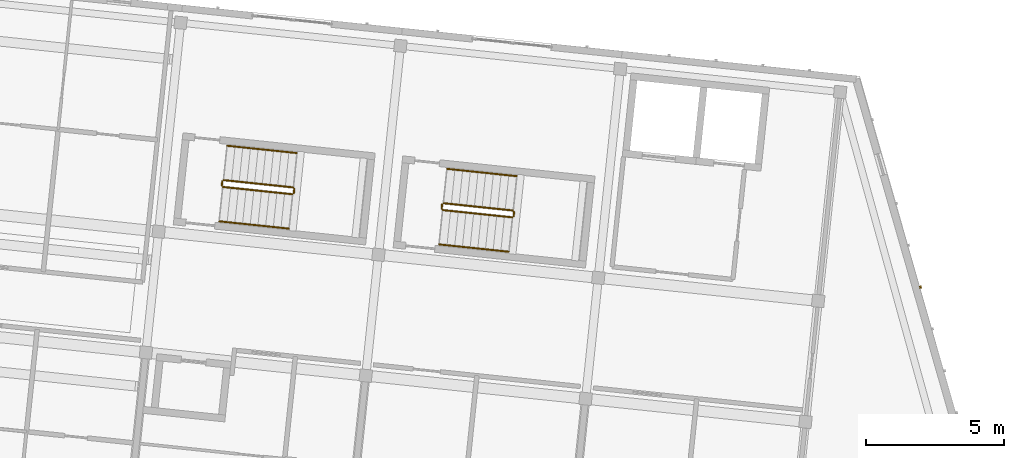
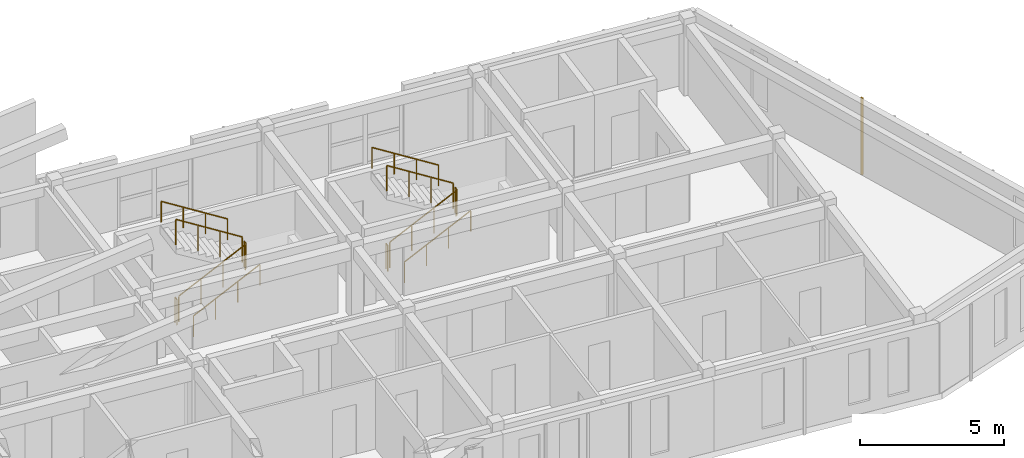
# One storey, part 32 of 34: 12 railings, 1 covering.
"""IFC4 building model written with IfcOpenShell, lengths in metres."""

from ifc_helpers import new_model, si_unit, direction, frame, origin, origin_2d, place, context, subcontext, project, spatial, rectangle, circle, extrude, material, layer, layer_set, type_object, element, save


model = new_model("IFC4")

# Units and contexts
model_context = context("Model", 3, precision=1e-05, world=origin(), true_north=direction((0.0, 1.0)))
body_context = subcontext(model_context, "Body", "Model", "MODEL_VIEW")
ifc_project = project(units=[si_unit("LENGTHUNIT", "METRE"), si_unit("AREAUNIT", "SQUARE_METRE"), si_unit("VOLUMEUNIT", "CUBIC_METRE"), si_unit("PLANEANGLEUNIT", "RADIAN"), si_unit("MASSUNIT", "GRAM", prefix="KILO")], contexts=[model_context])

# Site, building, storey
site_placement = place(None, origin())
site = spatial("IfcSite", under=ifc_project, at=site_placement, CompositionType="ELEMENT")
building_placement = place(site_placement, origin())
building = spatial("IfcBuilding", under=site, at=building_placement, Name="Kestramere Prow Commons", CompositionType="ELEMENT")
storey_placement = place(building_placement, frame((0.0, 0.0, 34.39990234375)))
storey = spatial("IfcBuildingStorey", under=building, at=storey_placement, Name="L10", CompositionType="ELEMENT", Elevation=34.39990234375)

# Covering
ifc_material_1 = material(Name="Weathered Zinc-Titanium Standing-Seam Cladding")
ifc_layer = layer(ifc_material_1, 0.074951171875)
ifc_layer_set = layer_set([ifc_layer], Name="Weathered Zinc-Titanium Standing-Seam Cladding")
covering_type = type_object("IfcCoveringType", Name="COV-CLAD-SEAM", PredefinedType="CLADDING", material=ifc_layer_set)
covering_placement = place(storey_placement, frame((162.69580078125, 102.21630859375, -0.25), z_axis=(0.0, 0.0, 1.0), x_axis=(0.27631844013, -0.961066136977, 0.0)))
element("IfcCovering", 1, at=covering_placement, inside=storey, type_object=covering_type, Name="EW-B-L10-PRW-N Standing-Seam Rib 5", PredefinedType="CLADDING", context=body_context, shape_type="SweptSolid", body=[
    extrude(rectangle(XDim=0.0849609375, YDim=0.06494140625, at=origin_2d()), origin(), (0.0, 0.0, 1.0), 3.25),
])

# Railings
ifc_material_2 = material(Name="Galvanised Steel S275JR", Category="steel")
railing_type_1 = type_object("IfcRailingType", Name="RL-ST-GR-1100", PredefinedType="GUARDRAIL", material=ifc_material_2)
railing_1_placement = place(storey_placement, frame((137.454345703125, 105.8408203125, 0.16259765625)))
element("IfcRailing", 2, at=railing_1_placement, inside=storey, type_object=railing_type_1, Name="L10 ST-B1 stair guard 1", PredefinedType="GUARDRAIL", context=body_context, shape_type="SweptSolid", body=[
    extrude(circle(Radius=0.02392578125, at=origin_2d()), frame((0.0, 0.0, 1.076171875), z_axis=(0.860186756994, -0.09040926464, 0.501901293044), x_axis=(0.104528455675, 0.994521896166, 0.0)), (0.0, 0.0, 1.0), 2.913818359375),
    extrude(circle(Radius=0.02099609375, at=origin_2d()), origin(), (0.0, 0.0, 1.0), 1.052001953125),
    extrude(circle(Radius=0.02099609375, at=origin_2d()), frame((0.83544921875, -0.087890625, 0.487548828125)), (0.0, 0.0, 1.0), 1.052001953125),
    extrude(circle(Radius=0.02099609375, at=origin_2d()), frame((1.6708984375, -0.175537109375, 0.974853515625)), (0.0, 0.0, 1.0), 1.052001953125),
    extrude(circle(Radius=0.02099609375, at=origin_2d()), frame((2.50634765625, -0.263427734375, 1.46240234375)), (0.0, 0.0, 1.0), 1.052001953125),
])
railing_2_placement = place(storey_placement, frame((140.015625, 105.621826171875, 1.625)))
element("IfcRailing", 3, at=railing_2_placement, inside=storey, type_object=railing_type_1, Name="L10 ST-B1 stair guard 2", PredefinedType="GUARDRAIL", context=body_context, shape_type="SweptSolid", body=[
    extrude(circle(Radius=0.02392578125, at=origin_2d()), frame((0.0, 0.0, 1.076171875), z_axis=(0.104176375855, 0.994558838236, 0.0), x_axis=(-0.994558838236, 0.104176375855, 0.0)), (0.0, 0.0, 1.0), 0.14990234375),
    extrude(circle(Radius=0.02099609375, at=origin_2d()), origin(), (0.0, 0.0, 1.0), 1.052001953125),
    extrude(circle(Radius=0.02099609375, at=origin_2d()), frame((0.015625, 0.149169921875, 0.0)), (0.0, 0.0, 1.0), 1.052001953125),
])
railing_3_placement = place(storey_placement, frame((139.98681640625, 105.825927734375, 1.78759765625)))
element("IfcRailing", 4, at=railing_3_placement, inside=storey, type_object=railing_type_1, Name="L10 ST-B1 stair guard 3", PredefinedType="GUARDRAIL", context=body_context, shape_type="SweptSolid", body=[
    extrude(circle(Radius=0.02392578125, at=origin_2d()), frame((0.0, 0.0, 1.076171875), z_axis=(-0.860164962675, 0.090415781269, 0.501937469695), x_axis=(-0.104538527394, -0.994520837534, 0.0)), (0.0, 0.0, 1.0), 2.91357421875),
    extrude(circle(Radius=0.02099609375, at=origin_2d()), origin(), (0.0, 0.0, 1.0), 1.052001953125),
    extrude(circle(Radius=0.02099609375, at=origin_2d()), frame((-0.83544921875, 0.087890625, 0.487548828125)), (0.0, 0.0, 1.0), 1.052001953125),
    extrude(circle(Radius=0.02099609375, at=origin_2d()), frame((-1.670654296875, 0.175537109375, 0.974853515625)), (0.0, 0.0, 1.0), 1.052001953125),
    extrude(circle(Radius=0.02099609375, at=origin_2d()), frame((-2.506103515625, 0.263427734375, 1.46240234375)), (0.0, 0.0, 1.0), 1.052001953125),
])
railing_4_placement = place(storey_placement, frame((137.409912109375, 105.895751953125, 0.0)))
element("IfcRailing", 5, at=railing_4_placement, inside=storey, type_object=railing_type_1, Name="L10 ST-B1 stair guard 4", PredefinedType="GUARDRAIL", context=body_context, shape_type="SweptSolid", body=[
    extrude(circle(Radius=0.02392578125, at=origin_2d()), frame((0.0, 0.0, 1.076171875), z_axis=(0.104176375855, 0.994558838236, 0.0), x_axis=(-0.994558838236, 0.104176375855, 0.0)), (0.0, 0.0, 1.0), 0.14990234375),
    extrude(circle(Radius=0.02099609375, at=origin_2d()), origin(), (0.0, 0.0, 1.0), 1.052001953125),
    extrude(circle(Radius=0.02099609375, at=origin_2d()), frame((0.015625, 0.149169921875, 0.0)), (0.0, 0.0, 1.0), 1.052001953125),
])
railing_5_placement = place(storey_placement, frame((145.41064453125, 105.00439453125, 0.16259765625)))
element("IfcRailing", 6, at=railing_5_placement, inside=storey, type_object=railing_type_1, Name="L10 ST-B2 stair guard 1", PredefinedType="GUARDRAIL", context=body_context, shape_type="SweptSolid", body=[
    extrude(circle(Radius=0.02392578125, at=origin_2d()), frame((0.0, 0.0, 1.076171875), z_axis=(0.860164962675, -0.090415781269, 0.501937469695), x_axis=(0.104538527394, 0.994520837534, 0.0)), (0.0, 0.0, 1.0), 2.91357421875),
    extrude(circle(Radius=0.02099609375, at=origin_2d()), origin(), (0.0, 0.0, 1.0), 1.052001953125),
    extrude(circle(Radius=0.02099609375, at=origin_2d()), frame((0.83544921875, -0.087890625, 0.487548828125)), (0.0, 0.0, 1.0), 1.052001953125),
    extrude(circle(Radius=0.02099609375, at=origin_2d()), frame((1.670654296875, -0.175537109375, 0.974853515625)), (0.0, 0.0, 1.0), 1.052001953125),
    extrude(circle(Radius=0.02099609375, at=origin_2d()), frame((2.506103515625, -0.263427734375, 1.46240234375)), (0.0, 0.0, 1.0), 1.052001953125),
])
railing_6_placement = place(storey_placement, frame((147.9716796875, 104.78564453125, 1.625)))
element("IfcRailing", 7, at=railing_6_placement, inside=storey, type_object=railing_type_1, Name="L10 ST-B2 stair guard 2", PredefinedType="GUARDRAIL", context=body_context, shape_type="SweptSolid", body=[
    extrude(circle(Radius=0.02392578125, at=origin_2d()), frame((0.0, 0.0, 1.076171875), z_axis=(0.105786054594, 0.994388913179, 0.0), x_axis=(-0.994388913179, 0.105786054594, 0.0)), (0.0, 0.0, 1.0), 0.14990234375),
    extrude(circle(Radius=0.02099609375, at=origin_2d()), origin(), (0.0, 0.0, 1.0), 1.052001953125),
    extrude(circle(Radius=0.02099609375, at=origin_2d()), frame((0.015869140625, 0.149169921875, 0.0)), (0.0, 0.0, 1.0), 1.052001953125),
])
railing_7_placement = place(storey_placement, frame((147.94287109375, 104.98974609375, 1.78759765625)))
element("IfcRailing", 8, at=railing_7_placement, inside=storey, type_object=railing_type_1, Name="L10 ST-B2 stair guard 3", PredefinedType="GUARDRAIL", context=body_context, shape_type="SweptSolid", body=[
    extrude(circle(Radius=0.02392578125, at=origin_2d()), frame((0.0, 0.0, 1.076171875), z_axis=(-0.860164962675, 0.090415781269, 0.501937469695), x_axis=(-0.104538527394, -0.994520837534, 0.0)), (0.0, 0.0, 1.0), 2.91357421875),
    extrude(circle(Radius=0.02099609375, at=origin_2d()), origin(), (0.0, 0.0, 1.0), 1.052001953125),
    extrude(circle(Radius=0.02099609375, at=origin_2d()), frame((-0.83544921875, 0.087890625, 0.487548828125)), (0.0, 0.0, 1.0), 1.052001953125),
    extrude(circle(Radius=0.02099609375, at=origin_2d()), frame((-1.670654296875, 0.175537109375, 0.974853515625)), (0.0, 0.0, 1.0), 1.052001953125),
    extrude(circle(Radius=0.02099609375, at=origin_2d()), frame((-2.506103515625, 0.263427734375, 1.46240234375)), (0.0, 0.0, 1.0), 1.052001953125),
])
railing_8_placement = place(storey_placement, frame((145.3662109375, 105.059326171875, 0.0)))
element("IfcRailing", 9, at=railing_8_placement, inside=storey, type_object=railing_type_1, Name="L10 ST-B2 stair guard 4", PredefinedType="GUARDRAIL", context=body_context, shape_type="SweptSolid", body=[
    extrude(circle(Radius=0.02392578125, at=origin_2d()), frame((0.0, 0.0, 1.076171875), z_axis=(0.104176375855, 0.994558838236, 0.0), x_axis=(-0.994558838236, 0.104176375855, 0.0)), (0.0, 0.0, 1.0), 0.14990234375),
    extrude(circle(Radius=0.02099609375, at=origin_2d()), origin(), (0.0, 0.0, 1.0), 1.052001953125),
    extrude(circle(Radius=0.02099609375, at=origin_2d()), frame((0.015625, 0.149169921875, 0.0)), (0.0, 0.0, 1.0), 1.052001953125),
])
ifc_material_3 = material(Name="Stainless Steel 304", Category="steel")
railing_type_2 = type_object("IfcRailingType", Name="RL-ST-HR-900", PredefinedType="HANDRAIL", material=ifc_material_3)
railing_9_placement = place(storey_placement, frame((137.32373046875, 104.59765625, 0.3251953125)))
element("IfcRailing", 10, at=railing_9_placement, inside=storey, type_object=railing_type_2, Name="L10 ST-B1 stair handrail 1", PredefinedType="HANDRAIL", context=body_context, shape_type="SweptSolid", body=[
    extrude(circle(Radius=0.02392578125, at=origin_2d()), frame((0.0, 0.0, 0.8759765625), z_axis=(0.860186756994, -0.09040926464, 0.501901293044), x_axis=(0.104528455675, 0.994521896166, 0.0)), (0.0, 0.0, 1.0), 2.913818359375),
    extrude(circle(Radius=0.02099609375, at=origin_2d()), origin(), (0.0, 0.0, 1.0), 0.851806640625),
    extrude(circle(Radius=0.02099609375, at=origin_2d()), frame((0.83544921875, -0.087890625, 0.487548828125)), (0.0, 0.0, 1.0), 0.851806640625),
    extrude(circle(Radius=0.02099609375, at=origin_2d()), frame((1.6708984375, -0.175537109375, 0.974853515625)), (0.0, 0.0, 1.0), 0.851806640625),
    extrude(circle(Radius=0.02099609375, at=origin_2d()), frame((2.50634765625, -0.263427734375, 1.46240234375)), (0.0, 0.0, 1.0), 0.851806640625),
])
railing_10_placement = place(storey_placement, frame((140.117431640625, 107.069091796875, 1.9501953125)))
element("IfcRailing", 11, at=railing_10_placement, inside=storey, type_object=railing_type_2, Name="L10 ST-B1 stair handrail 2", PredefinedType="HANDRAIL", context=body_context, shape_type="SweptSolid", body=[
    extrude(circle(Radius=0.02392578125, at=origin_2d()), frame((0.0, 0.0, 0.8759765625), z_axis=(-0.860164962675, 0.090415781269, 0.501937469695), x_axis=(-0.104538527394, -0.994520837534, 0.0)), (0.0, 0.0, 1.0), 2.91357421875),
    extrude(circle(Radius=0.02099609375, at=origin_2d()), origin(), (0.0, 0.0, 1.0), 0.851806640625),
    extrude(circle(Radius=0.02099609375, at=origin_2d()), frame((-0.83544921875, 0.087890625, 0.487548828125)), (0.0, 0.0, 1.0), 0.851806640625),
    extrude(circle(Radius=0.02099609375, at=origin_2d()), frame((-1.670654296875, 0.175537109375, 0.974853515625)), (0.0, 0.0, 1.0), 0.851806640625),
    extrude(circle(Radius=0.02099609375, at=origin_2d()), frame((-2.506103515625, 0.263427734375, 1.46240234375)), (0.0, 0.0, 1.0), 0.851806640625),
])
railing_11_placement = place(storey_placement, frame((145.280029296875, 103.76123046875, 0.3251953125)))
element("IfcRailing", 12, at=railing_11_placement, inside=storey, type_object=railing_type_2, Name="L10 ST-B2 stair handrail 1", PredefinedType="HANDRAIL", context=body_context, shape_type="SweptSolid", body=[
    extrude(circle(Radius=0.02392578125, at=origin_2d()), frame((0.0, 0.0, 0.8759765625), z_axis=(0.860164962675, -0.090415781269, 0.501937469695), x_axis=(0.104538527394, 0.994520837534, 0.0)), (0.0, 0.0, 1.0), 2.91357421875),
    extrude(circle(Radius=0.02099609375, at=origin_2d()), origin(), (0.0, 0.0, 1.0), 0.851806640625),
    extrude(circle(Radius=0.02099609375, at=origin_2d()), frame((0.83544921875, -0.087890625, 0.487548828125)), (0.0, 0.0, 1.0), 0.851806640625),
    extrude(circle(Radius=0.02099609375, at=origin_2d()), frame((1.670654296875, -0.175537109375, 0.974853515625)), (0.0, 0.0, 1.0), 0.851806640625),
    extrude(circle(Radius=0.02099609375, at=origin_2d()), frame((2.506103515625, -0.263427734375, 1.46240234375)), (0.0, 0.0, 1.0), 0.851806640625),
])
railing_12_placement = place(storey_placement, frame((148.07373046875, 106.23291015625, 1.9501953125)))
element("IfcRailing", 13, at=railing_12_placement, inside=storey, type_object=railing_type_2, Name="L10 ST-B2 stair handrail 2", PredefinedType="HANDRAIL", context=body_context, shape_type="SweptSolid", body=[
    extrude(circle(Radius=0.02392578125, at=origin_2d()), frame((0.0, 0.0, 0.8759765625), z_axis=(-0.860186756994, 0.09040926464, 0.501901293044), x_axis=(-0.104528455675, -0.994521896166, 0.0)), (0.0, 0.0, 1.0), 2.913818359375),
    extrude(circle(Radius=0.02099609375, at=origin_2d()), origin(), (0.0, 0.0, 1.0), 0.851806640625),
    extrude(circle(Radius=0.02099609375, at=origin_2d()), frame((-0.83544921875, 0.087890625, 0.487548828125)), (0.0, 0.0, 1.0), 0.851806640625),
    extrude(circle(Radius=0.02099609375, at=origin_2d()), frame((-1.6708984375, 0.175537109375, 0.974853515625)), (0.0, 0.0, 1.0), 0.851806640625),
    extrude(circle(Radius=0.02099609375, at=origin_2d()), frame((-2.50634765625, 0.263427734375, 1.46240234375)), (0.0, 0.0, 1.0), 0.851806640625),
])

save(model, "model.ifc")
